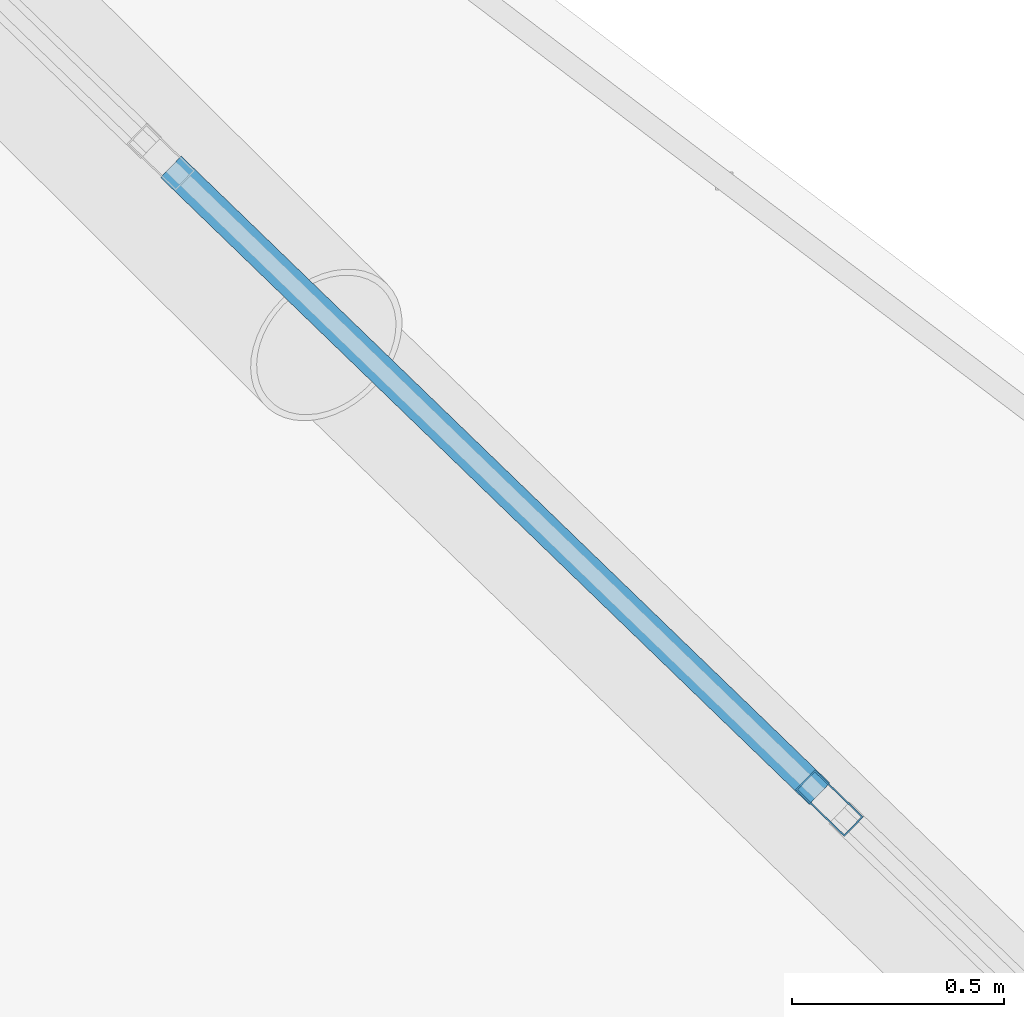
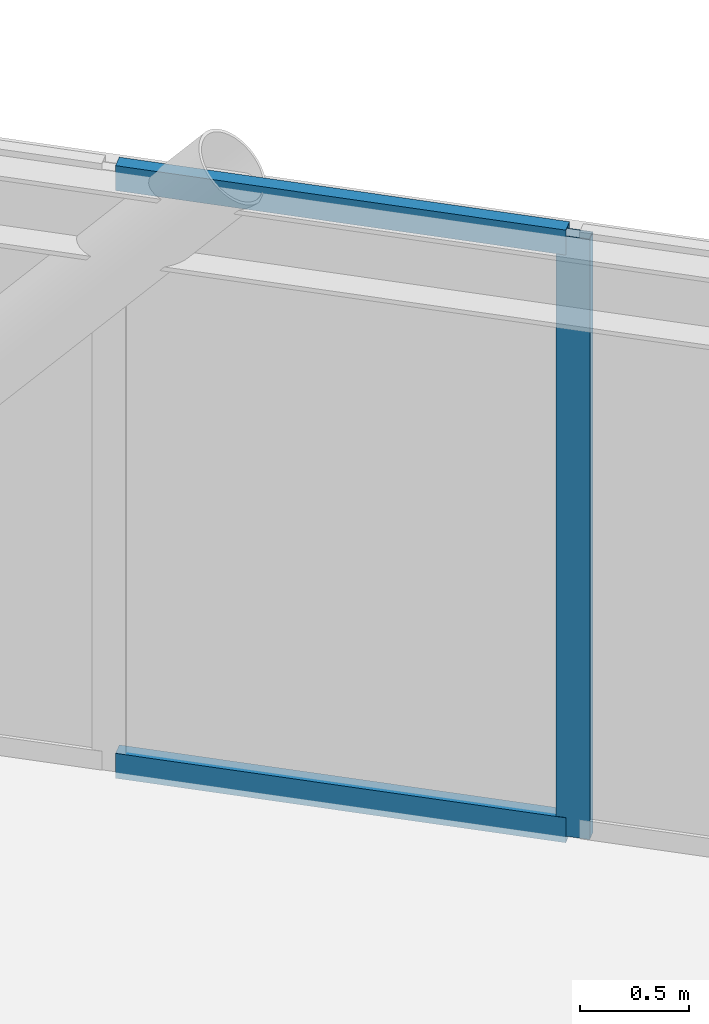
# One storey, part 15 of 28: 3 members, 1 element without a shape of its own.
"""IFC4 building model written with IfcOpenShell, lengths in metres."""

from ifc_helpers import new_model, si_unit, direction, frame, origin, origin_2d, place, context, subcontext, project, spatial, hollow_rectangle, extrude, material, layer, layer_set, material_profile, profile_set, type_object, element, aggregate, save


model = new_model("IFC4")

# Units and contexts
model_context = context("Model", 3, precision=1e-05, world=origin(), true_north=direction((0.0, 1.0)))
body_context = subcontext(model_context, "Body", "Model", "MODEL_VIEW")
ifc_project = project(units=[si_unit("LENGTHUNIT", "METRE"), si_unit("AREAUNIT", "SQUARE_METRE"), si_unit("VOLUMEUNIT", "CUBIC_METRE"), si_unit("PLANEANGLEUNIT", "RADIAN"), si_unit("MASSUNIT", "GRAM", prefix="KILO")], contexts=[model_context])

# Site, building, storey
site_placement = place(None, origin())
site = spatial("IfcSite", under=ifc_project, at=site_placement, CompositionType="ELEMENT")
building_placement = place(site_placement, origin())
building = spatial("IfcBuilding", under=site, at=building_placement, Name="Varnakorn Sky Granary", CompositionType="ELEMENT")
storey_placement = place(building_placement, frame((0.0, 0.0, 225.60009765625)))
storey = spatial("IfcBuildingStorey", under=building, at=storey_placement, Name="L57", CompositionType="ELEMENT", Elevation=225.60009765625)

# Curtain wall, members
ifc_material = material(Name="Anodised Bronze Aluminium Alloy 6063-T6", Category="aluminium")
ifc_layer = layer(ifc_material, 0.169921875, Name="Anodised Bronze Aluminium Alloy 6063-T6")
ifc_layer_set = layer_set([ifc_layer], Name="Anodised Bronze Aluminium Alloy 6063-T6")
curtain_wall_type = type_object("IfcCurtainWallType", Name="CW-LAB-1", PredefinedType="USERDEFINED", material=ifc_layer_set)
curtain_wall_placement = place(storey_placement, origin())
curtain_wall = element("IfcCurtainWall", 1, at=curtain_wall_placement, inside=storey, type_object=curtain_wall_type, Name="Unitised Curtain Wall CW5 CW-L57-B02", ObjectType="CURTAIN WALL", PredefinedType="USERDEFINED")
ifc_material_profile_1 = material_profile(ifc_material, hollow_rectangle(XDim=0.06494140625, YDim=0.159912109375, WallThickness=0.00341796875, at=origin_2d()), Name="ALU MULL 65x160")
ifc_profile_set_1 = profile_set([ifc_material_profile_1], Name="Anodised Bronze Aluminium Alloy 6063-T6")
member_type_1 = type_object("IfcMemberType", Name="CW-LAB-1-MULL", PredefinedType="MULLION", material=ifc_profile_set_1)
member_1_placement = place(storey_placement, frame((17.668212890625, 12.390625, 0.0), z_axis=(0.0, 0.0, 1.0), x_axis=(0.695009134591, 0.719000906004, 0.0)))
member_1 = element("IfcMember", 2, at=member_1_placement, type_object=member_type_1, Name="CW5 mullion 3", PredefinedType="MULLION", context=body_context, shape_type="SweptSolid", body=[
    extrude(hollow_rectangle(XDim=0.06494140625, YDim=0.159912109375, WallThickness=0.00341796875, at=origin_2d()), origin(), (0.0, 0.0, 1.0), 3.35986328125),
])
ifc_material_profile_2 = material_profile(ifc_material, hollow_rectangle(XDim=0.070068359375, YDim=0.139892578125, WallThickness=0.00341796875, at=origin_2d()), Name="ALU TRAN 70x140")
ifc_profile_set_2 = profile_set([ifc_material_profile_2], Name="Anodised Bronze Aluminium Alloy 6063-T6")
member_type_2 = type_object("IfcMemberType", Name="CW-LAB-1-TRAN", PredefinedType="USERDEFINED", material=ifc_profile_set_2)
member_2_placement = place(storey_placement, frame((16.1142578125, 13.892333984375, 0.034912109375), z_axis=(0.719047600515, -0.694960824935, 0.0), x_axis=(0.694960824935, 0.719047600515, 0.0)))
member_2 = element("IfcMember", 3, at=member_2_placement, type_object=member_type_2, Name="CW5 transom 2.1", ObjectType="TRANSOM", PredefinedType="USERDEFINED", context=body_context, shape_type="SweptSolid", body=[
    extrude(hollow_rectangle(XDim=0.070068359375, YDim=0.139892578125, WallThickness=0.00341796875, at=origin_2d()), origin(), (0.0, 0.0, 1.0), 2.12841796875),
])
member_3_placement = place(storey_placement, frame((16.1142578125, 13.892333984375, 3.324951171875), z_axis=(0.719047600515, -0.694960824935, 0.0), x_axis=(0.694960824935, 0.719047600515, 0.0)))
member_3 = element("IfcMember", 4, at=member_3_placement, type_object=member_type_2, Name="CW5 transom 2.2", ObjectType="TRANSOM", PredefinedType="USERDEFINED", context=body_context, shape_type="SweptSolid", body=[
    extrude(hollow_rectangle(XDim=0.070068359375, YDim=0.139892578125, WallThickness=0.00341796875, at=origin_2d()), origin(), (0.0, 0.0, 1.0), 2.12841796875),
])
aggregate(curtain_wall, [member_1, member_2, member_3])

save(model, "model.ifc")
